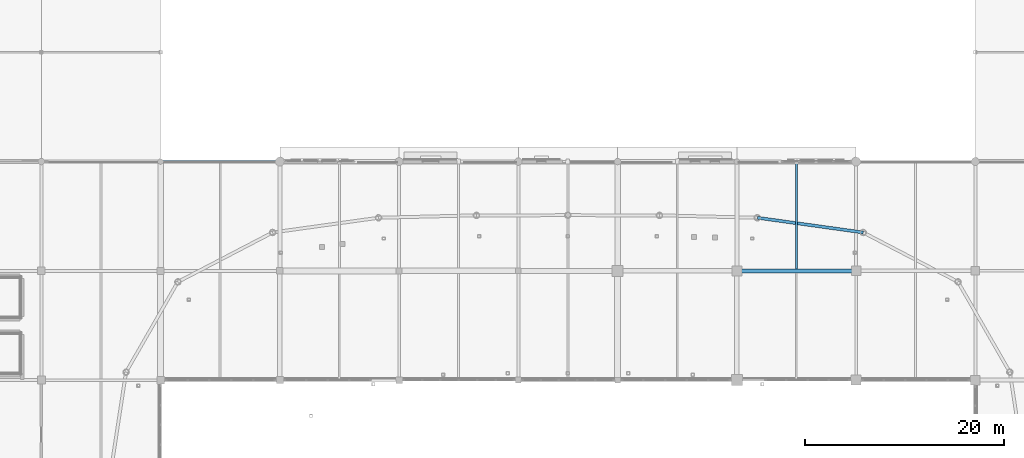
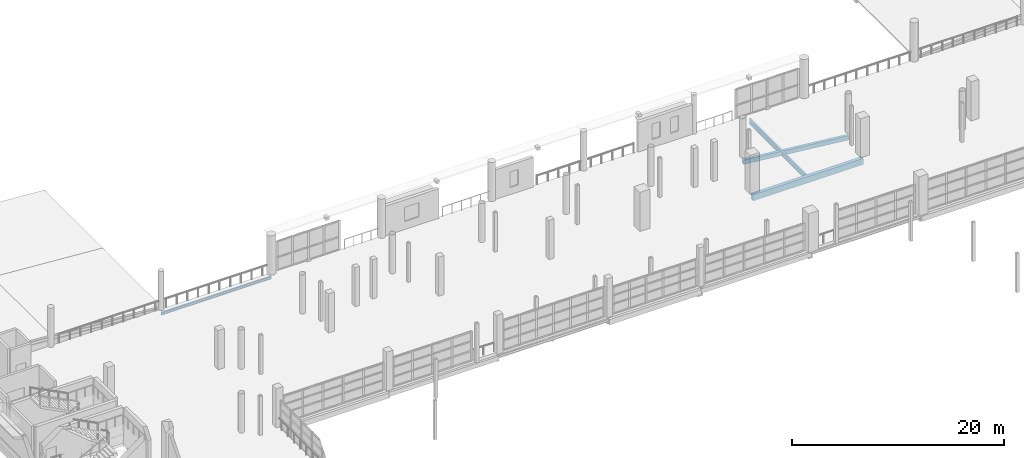
# One storey, part 47 of 118: 4 beams.
"""IFC4 building model written with IfcOpenShell, lengths in metres."""

from ifc_helpers import new_model, si_unit, direction, frame, origin, origin_2d, place, context, subcontext, project, spatial, rectangle, hollow_rectangle, i_section, extrude, material, material_profile, profile_set, type_object, element, save


model = new_model("IFC4")

# Units and contexts
model_context = context("Model", 3, precision=1e-05, world=origin(), true_north=direction((0.0, 1.0)))
body_context = subcontext(model_context, "Body", "Model", "MODEL_VIEW")
ifc_project = project(units=[si_unit("LENGTHUNIT", "METRE"), si_unit("AREAUNIT", "SQUARE_METRE"), si_unit("VOLUMEUNIT", "CUBIC_METRE"), si_unit("PLANEANGLEUNIT", "RADIAN"), si_unit("MASSUNIT", "GRAM", prefix="KILO")], contexts=[model_context])

# Site, building, storey
site_placement = place(None, origin())
site = spatial("IfcSite", under=ifc_project, at=site_placement, CompositionType="ELEMENT")
building_placement = place(site_placement, origin())
building = spatial("IfcBuilding", under=site, at=building_placement, Name="Luwafu Chhajja Arena", CompositionType="ELEMENT")
storey_placement = place(building_placement, frame((0.0, 0.0, 10.199951171875)))
storey = spatial("IfcBuildingStorey", under=building, at=storey_placement, Name="L02", CompositionType="ELEMENT", Elevation=10.199951171875)

# Beams
ifc_material_1 = material(Name="Steel S355", Category="steel")
ifc_material_profile_1 = material_profile(ifc_material_1, i_section(OverallWidth=0.165771484375, OverallDepth=0.306640625, WebThickness=0.006591796875, FlangeThickness=0.01171875, at=origin_2d()), Name="UB 305x165x46")
ifc_profile_set_1 = profile_set([ifc_material_profile_1], Name="Steel S355")
beam_type_1 = type_object("IfcBeamType", Name="Concourse Edge Spandrel Beam UB 305x165x46", PredefinedType="SPANDREL", material=ifc_profile_set_1)
beam_1_placement = place(storey_placement, frame((58.0, 99.0, -0.543212890625), z_axis=(1.0, 0.0, 0.0), x_axis=(0.0, 1.0, 0.0)))
element("IfcBeam", 1, at=beam_1_placement, inside=storey, type_object=beam_type_1, Name="L02 Grid Beam 6-7/K", PredefinedType="SPANDREL", context=body_context, shape_type="SweptSolid", body=[
    extrude(i_section(OverallWidth=0.165771484375, OverallDepth=0.306640625, WebThickness=0.006591796875, FlangeThickness=0.01171875, at=origin_2d()), origin(), (0.0, 0.0, 1.0), 12.0),
])
ifc_material_profile_2 = material_profile(ifc_material_1, i_section(OverallWidth=0.2099609375, OverallDepth=0.53662109375, WebThickness=0.0107421875, FlangeThickness=0.017333984375, at=origin_2d()), Name="UB 533x210x101")
ifc_profile_set_2 = profile_set([ifc_material_profile_2], Name="Steel S355")
beam_type_2 = type_object("IfcBeamType", Name="Floor Joist UB 533x210x101", PredefinedType="JOIST", material=ifc_profile_set_2)
beam_2_placement = place(storey_placement, frame((122.0, 88.199951171875, -0.658203125), z_axis=(0.0, 1.0, 0.0), x_axis=(-1.0, 0.0, 0.0)))
element("IfcBeam", 2, at=beam_2_placement, inside=storey, type_object=beam_type_2, Name="L02 Secondary Joist 11-12/J", PredefinedType="JOIST", context=body_context, shape_type="SweptSolid", body=[
    extrude(i_section(OverallWidth=0.2099609375, OverallDepth=0.53662109375, WebThickness=0.0107421875, FlangeThickness=0.017333984375, at=origin_2d()), origin(), (0.0, 0.0, 1.0), 10.650146484375),
])
ifc_material_profile_3 = material_profile(ifc_material_1, hollow_rectangle(XDim=0.300048828125, YDim=0.5, WallThickness=0.02001953125, at=origin_2d()), Name="RHS 500x300x20")
ifc_profile_set_3 = profile_set([ifc_material_profile_3], Name="Steel S355")
beam_type_3 = type_object("IfcBeamType", Name="Pleated Drum Spandrel Beam RHS 500x300", PredefinedType="SPANDREL", material=ifc_profile_set_3)
beam_3_placement = place(storey_placement, frame((128.718017578125, 91.86279296875, -0.639892578125), z_axis=(-0.990458730054, 0.137809666058, 0.0), x_axis=(-0.137809666058, -0.990458730054, 0.0)))
element("IfcBeam", 3, at=beam_3_placement, inside=storey, type_object=beam_type_3, Name="L02 Drum Ring Spandrel D06-D07", PredefinedType="SPANDREL", context=body_context, shape_type="SweptSolid", body=[
    extrude(hollow_rectangle(XDim=0.300048828125, YDim=0.5, WallThickness=0.02001953125, at=origin_2d()), origin(), (0.0, 0.0, 1.0), 10.75341796875),
])
ifc_material_2 = material(Name="Concrete C35/45", Category="concrete")
ifc_material_profile_4 = material_profile(ifc_material_2, rectangle(XDim=0.39990234375, YDim=0.699951171875, at=origin_2d()), Name="RC 400x700")
ifc_profile_set_4 = profile_set([ifc_material_profile_4], Name="Concrete C35/45")
beam_type_4 = type_object("IfcBeamType", Name="Wing Frame Beam RC 400x700", PredefinedType="BEAM", material=ifc_profile_set_4)
beam_4_placement = place(storey_placement, frame((116.0, 88.0, -0.739990234375), z_axis=(1.0, 0.0, 0.0), x_axis=(0.0, 1.0, 0.0)))
element("IfcBeam", 4, at=beam_4_placement, inside=storey, type_object=beam_type_4, Name="L02 Grid Beam 11-12/J", PredefinedType="BEAM", context=body_context, shape_type="SweptSolid", body=[
    extrude(rectangle(XDim=0.39990234375, YDim=0.699951171875, at=origin_2d()), origin(), (0.0, 0.0, 1.0), 12.0),
])

save(model, "model.ifc")
